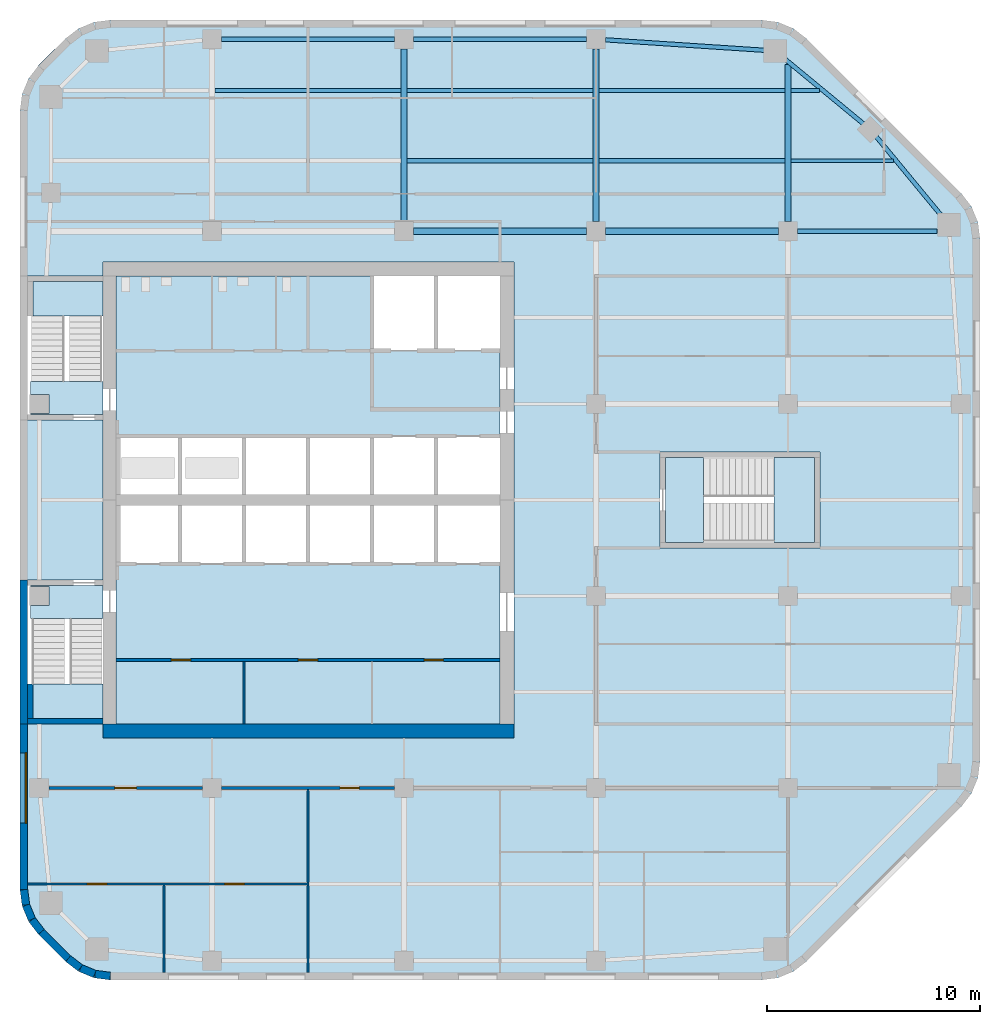
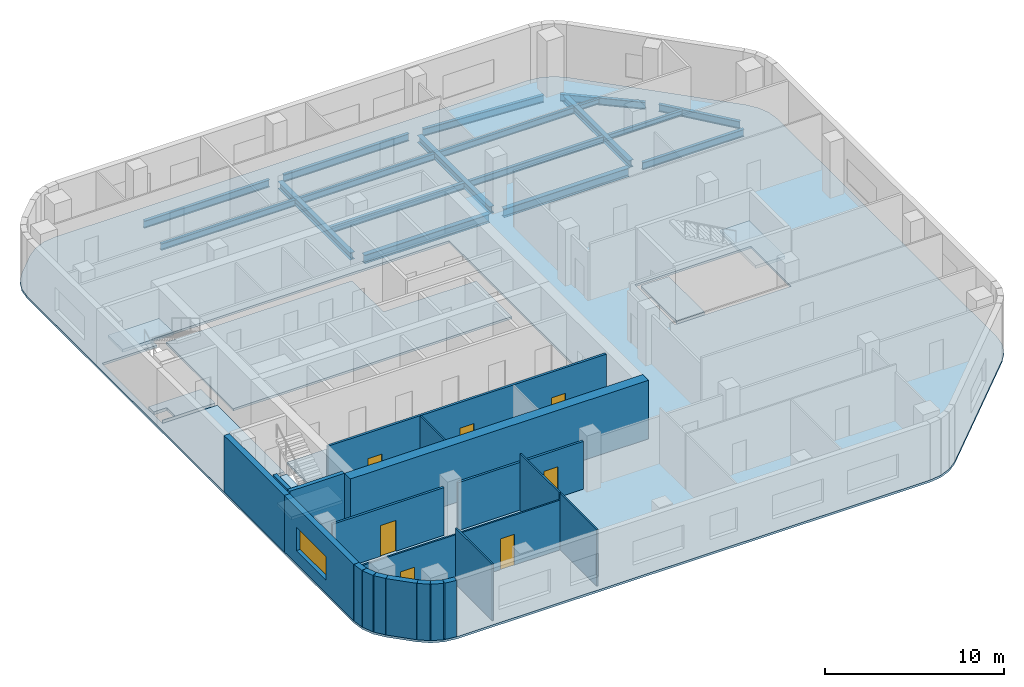
# One storey, part 2 of 9: 20 walls, 18 beams, 9 slabs, 7 doors, 1 window, 8 openings, 3 elements without a shape of their own.
"""IFC4 building model written with IfcOpenShell, lengths in metres."""

import ifcopenshell
import ifcopenshell.guid

model = None  # the IFC model being written
_history = None  # IfcOwnerHistory: only IFC2X3 demands one
_inside = {}  # id of a spatial element -> (the spatial element, [elements in it])
_under = {}  # id of a project, library or spatial element -> (it, [spatial elements below it])
_declared = {}  # id of a project -> (the project, [libraries it declares])
_typed = {}  # id of a type object -> (the type object, [elements of that type])
_made_of = {}  # id of a material, layer set ... -> (it, [elements and type objects made of it])


def new_model(schema):
    """Start an empty IFC model of exactly this schema.

    Asked for "IFC4X3", IfcOpenShell would pick the latest addendum, in which some entities
    have other attributes; the version numbers below select the first issue.
    IFC2X3 requires an IfcOwnerHistory on every rooted entity: one is made here for all.
    """
    global model, _history
    if schema == "IFC4X3":
        model = ifcopenshell.file(schema_version=(4, 3, 0, 0))
    else:
        model = ifcopenshell.file(schema=schema)
    _inside.clear()
    _under.clear()
    _declared.clear()
    _typed.clear()
    _made_of.clear()
    _history = None
    if model.schema == "IFC2X3":
        org = make("IfcOrganization", Name="unknown")
        user = make(
            "IfcPersonAndOrganization",
            ThePerson=make("IfcPerson", FamilyName="unknown"),
            TheOrganization=org,
        )
        app = make(
            "IfcApplication",
            ApplicationDeveloper=org,
            Version="unknown",
            ApplicationFullName="unknown",
            ApplicationIdentifier="unknown",
        )
        _history = make(
            "IfcOwnerHistory",
            OwningUser=user,
            OwningApplication=app,
            ChangeAction="ADDED",
            CreationDate=0,
        )
    return model


def make(cls, **values):
    """One entity of the class cls with the attributes given. An attribute that is None is left unset."""
    return model.create_entity(
        cls, **{name: value for name, value in values.items() if value is not None}
    )


def rooted(cls, **values):
    """An entity with a GlobalId (a new one), such as an element, a storey or a relation."""
    return make(cls, GlobalId=ifcopenshell.guid.new(), OwnerHistory=_history, **values)


def si_unit(unit_type, name, prefix=None):
    """IfcSIUnit, for example si_unit("LENGTHUNIT", "METRE", prefix="MILLI")."""
    return make("IfcSIUnit", UnitType=unit_type, Prefix=prefix, Name=name)


def assignment(units):
    """IfcUnitAssignment: the units of a project."""
    return None if units is None else make("IfcUnitAssignment", Units=units)


def point(xyz):
    """IfcCartesianPoint."""
    return None if xyz is None else make("IfcCartesianPoint", Coordinates=xyz)


def direction(xyz):
    """IfcDirection."""
    return None if xyz is None else make("IfcDirection", DirectionRatios=xyz)


def frame(location, z_axis=None, x_axis=None):
    """IfcAxis2Placement3D, a coordinate frame: its origin and axes. An axis left out is left unset."""
    return make(
        "IfcAxis2Placement3D",
        Location=point(location),
        Axis=direction(z_axis),
        RefDirection=direction(x_axis),
    )


def frame_2d(location, x_axis=None):
    """IfcAxis2Placement2D, a coordinate frame in the plane: its origin and x axis."""
    return make(
        "IfcAxis2Placement2D", Location=point(location), RefDirection=direction(x_axis)
    )


def origin():
    """The frame at (0, 0, 0) with its axes left unset."""
    return frame((0.0, 0.0, 0.0))


def origin_2d():
    """The frame at (0, 0) in the plane with its x axis left unset."""
    return frame_2d((0.0, 0.0))


def place(relative_to, where):
    """IfcLocalPlacement: puts the frame where relative to a parent placement (None: the world)."""
    return make(
        "IfcLocalPlacement", PlacementRelTo=relative_to, RelativePlacement=where
    )


def context(
    kind, dimensions, precision=None, world=None, true_north=None, identifier=None
):
    """IfcGeometricRepresentationContext, for example the 3D "Model" context."""
    return make(
        "IfcGeometricRepresentationContext",
        ContextIdentifier=identifier,
        ContextType=kind,
        CoordinateSpaceDimension=dimensions,
        Precision=precision,
        WorldCoordinateSystem=world,
        TrueNorth=true_north,
    )


def subcontext(parent, identifier, kind, view, scale=None):
    """IfcGeometricRepresentationSubContext, for example "Body" below "Model"."""
    return make(
        "IfcGeometricRepresentationSubContext",
        ContextIdentifier=identifier,
        ContextType=kind,
        ParentContext=parent,
        TargetScale=scale,
        TargetView=view,
    )


def project(units=None, contexts=None):
    """IfcProject with its units and contexts."""
    return rooted(
        "IfcProject",
        Name="project",
        RepresentationContexts=contexts,
        UnitsInContext=assignment(units),
    )


def spatial(cls, under=None, at=None, **own):
    """A site, building, storey or space (cls), placed at a placement, below another one or the project."""
    s = rooted(cls, ObjectPlacement=at, **own)
    if under is not None:
        _under.setdefault(under.id(), (under, []))[1].append(s)
    return s


def polyline(points):
    """IfcPolyline through the points."""
    return make("IfcPolyline", Points=[point(p) for p in points])


def profile(cls, at=None, kind="AREA", **sizes):
    """A parametric profile (cls). Its sizes go by their IFC names, for example OverallWidth=200.0."""
    return make(cls, ProfileType=kind, Position=at, **sizes)


def rectangle(**sizes):
    """IfcRectangleProfileDef."""
    return profile("IfcRectangleProfileDef", **sizes)


def i_section(**sizes):
    """IfcIShapeProfileDef."""
    return profile("IfcIShapeProfileDef", **sizes)


def outline(outer, holes=None, kind="AREA"):
    """IfcArbitraryClosedProfileDef: a profile drawn as a closed curve; with holes, ...WithVoids."""
    if holes is None:
        return make("IfcArbitraryClosedProfileDef", ProfileType=kind, OuterCurve=outer)
    return make(
        "IfcArbitraryProfileDefWithVoids",
        ProfileType=kind,
        OuterCurve=outer,
        InnerCurves=holes,
    )


def extrude(swept, where, along, depth):
    """IfcExtrudedAreaSolid: the profile swept, set in the frame where, extruded along a direction by depth."""
    return make(
        "IfcExtrudedAreaSolid",
        SweptArea=swept,
        Position=where,
        ExtrudedDirection=direction(along),
        Depth=depth,
    )


def shape(context_of_items, identifier, shape_type, items):
    """IfcShapeRepresentation: the items that make up one representation, for example the "Body"."""
    return make(
        "IfcShapeRepresentation",
        ContextOfItems=context_of_items,
        RepresentationIdentifier=identifier,
        RepresentationType=shape_type,
        Items=items,
    )


def material(Name=None, Category=None):
    """IfcMaterial."""
    return make("IfcMaterial", Name=Name, Category=Category)


def layer(
    of_material, thickness, ventilated=None, Name=None, Category=None, Priority=None
):
    """IfcMaterialLayer: one layer of a wall or slab, of a material (None: an air gap)."""
    return make(
        "IfcMaterialLayer",
        Material=of_material,
        LayerThickness=thickness,
        IsVentilated=ventilated,
        Name=Name,
        Category=Category,
        Priority=Priority,
    )


def layer_set(layers, Name=None):
    """IfcMaterialLayerSet."""
    return make("IfcMaterialLayerSet", MaterialLayers=layers, LayerSetName=Name)


def material_profile(
    of_material, cross_section, Name=None, Category=None, Priority=None
):
    """IfcMaterialProfile: a cross section and its material."""
    return make(
        "IfcMaterialProfile",
        Name=Name,
        Material=of_material,
        Profile=cross_section,
        Priority=Priority,
        Category=Category,
    )


def profile_set(profiles, Name=None, composite=None):
    """IfcMaterialProfileSet."""
    return make(
        "IfcMaterialProfileSet",
        Name=Name,
        MaterialProfiles=profiles,
        CompositeProfile=composite,
    )


def made_of(thing, what):
    """Note that an element or type object is made of a material, layer set ...; save() writes the relation."""
    if what is not None:
        _made_of.setdefault(what.id(), (what, []))[1].append(thing)
    return thing


def type_object(cls, material=None, **own):
    """A type object (cls), such as IfcWallType, which elements share."""
    return made_of(rooted(cls, **own), material)


def element(
    cls,
    number,
    at=None,
    inside=None,
    cuts=None,
    type_object=None,
    material=None,
    context=None,
    identifier="Body",
    shape_type=None,
    held_by="IfcProductDefinitionShape",
    body=None,
    shapes=None,
    **own,
):
    """One element of the class cls, such as IfcWall. Its Tag is "e" and its number.

    at: its placement. inside: the storey or other place that contains it. cuts: it is an
    opening in that element (IfcRelVoidsElement). A single representation is given by context,
    identifier, shape_type and body (its items); several are given by shapes. held_by: the class
    of the entity that holds the representations. save() writes the other relations.
    """
    e = rooted(cls, Tag="e%d" % number, ObjectPlacement=at, **own)
    if body is not None:
        shapes = [shape(context, identifier, shape_type, body)]
    if shapes is not None:
        e.Representation = make(held_by, Representations=shapes)
    if inside is not None:
        _inside.setdefault(inside.id(), (inside, []))[1].append(e)
    if cuts is not None:
        rooted(
            "IfcRelVoidsElement", RelatingBuildingElement=cuts, RelatedOpeningElement=e
        )
    if type_object is not None:
        _typed.setdefault(type_object.id(), (type_object, []))[1].append(e)
    return made_of(e, material)


def fill(opening, filler):
    """IfcRelFillsElement: the door or window that sits in an opening."""
    return rooted(
        "IfcRelFillsElement",
        RelatingOpeningElement=opening,
        RelatedBuildingElement=filler,
    )


def aggregate(whole, parts):
    """IfcRelAggregates: a whole, such as a stair, and the parts it consists of."""
    return rooted("IfcRelAggregates", RelatingObject=whole, RelatedObjects=parts)


def save(model, path):
    """Write the relations noted so far, then the file.

    IfcRelAggregates (storeys below a building ...), IfcRelContainedInSpatialStructure (elements
    in a storey), IfcRelDefinesByType, IfcRelAssociatesMaterial and IfcRelDeclares: one each for
    every whole, place, type object, material and project.
    """
    for whole, parts in _under.values():
        aggregate(whole, parts)
    for where, things in _inside.values():
        rooted(
            "IfcRelContainedInSpatialStructure",
            RelatedElements=things,
            RelatingStructure=where,
        )
    for kind, things in _typed.values():
        rooted("IfcRelDefinesByType", RelatedObjects=things, RelatingType=kind)
    for what, things in _made_of.values():
        rooted("IfcRelAssociatesMaterial", RelatedObjects=things, RelatingMaterial=what)
    for by, libraries in _declared.values():
        rooted("IfcRelDeclares", RelatingContext=by, RelatedDefinitions=libraries)
    model.write(path)


model = new_model("IFC4")

# Units and contexts
model_context = context("Model", 3, precision=1e-05, world=origin(), true_north=direction((0.0, 1.0)))
body_context = subcontext(model_context, "Body", "Model", "MODEL_VIEW")
ifc_project = project(units=[si_unit("LENGTHUNIT", "METRE"), si_unit("AREAUNIT", "SQUARE_METRE"), si_unit("VOLUMEUNIT", "CUBIC_METRE"), si_unit("PLANEANGLEUNIT", "RADIAN"), si_unit("MASSUNIT", "GRAM", prefix="KILO")], contexts=[model_context])

# Site, building, storey
site_placement = place(None, origin())
site = spatial("IfcSite", under=ifc_project, at=site_placement, CompositionType="ELEMENT")
building_placement = place(site_placement, origin())
building = spatial("IfcBuilding", under=site, at=building_placement, Name="Cinnabar Reach Civic Tower", CompositionType="ELEMENT")
storey_placement = place(building_placement, frame((0.0, 0.0, 153.0)))
storey = spatial("IfcBuildingStorey", under=building, at=storey_placement, Name="L36", CompositionType="ELEMENT", Elevation=153.0)

# Beams
ifc_material_1 = material(Name="Steel Q355B", Category="steel")
ifc_material_profile_1 = material_profile(ifc_material_1, i_section(OverallWidth=0.3, OverallDepth=0.488, WebThickness=0.011, FlangeThickness=0.018, FilletRadius=0.016, at=origin_2d()), Name="HM488x300x11x18")
ifc_profile_set_1 = profile_set([ifc_material_profile_1], Name="Steel Q355B")
beam_type_1 = type_object("IfcBeamType", Name="HM488x300x11x18 beam R 180", PredefinedType="BEAM", material=ifc_profile_set_1)
for number, where, z_axis, x_axis, name in (
    (1, (18.0, 44.552, -0.394), (0.0, 1.0, 0.0), (-1.0, 0.0, 0.0), "Girder T1 L36 6"),
    (2, (27.0, 44.552, -0.394), (0.0, 1.0, 0.0), (-1.0, 0.0, 0.0), "Girder T1 L36 11"),
):
    element("IfcBeam", number, at=place(storey_placement, frame(where, z_axis=z_axis, x_axis=x_axis)), inside=storey, type_object=beam_type_1, Name=name, PredefinedType="BEAM", context=body_context, shape_type="SweptSolid", body=[
        extrude(i_section(OverallWidth=0.3, OverallDepth=0.488, WebThickness=0.011, FlangeThickness=0.018, FilletRadius=0.016, at=origin_2d()), origin(), (0.0, 0.0, 1.0), 8.096),
    ])
beam_1_placement = place(storey_placement, frame((36.0, 44.552, -0.394), z_axis=(0.0, 1.0, 0.0), x_axis=(-1.0, 0.0, 0.0)))
element("IfcBeam", 3, at=beam_1_placement, inside=storey, type_object=beam_type_1, Name="Girder T1 L36 17", PredefinedType="BEAM", context=body_context, shape_type="SweptSolid", body=[
    extrude(i_section(OverallWidth=0.3, OverallDepth=0.488, WebThickness=0.011, FlangeThickness=0.018, FilletRadius=0.016, at=origin_2d()), origin(), (0.0, 0.0, 1.0), 7.3662),
])
ifc_material_profile_2 = material_profile(ifc_material_1, i_section(OverallWidth=0.3, OverallDepth=0.588, WebThickness=0.012, FlangeThickness=0.02, FilletRadius=0.016, at=origin_2d()), Name="HM588x300x12x20")
ifc_profile_set_2 = profile_set([ifc_material_profile_2], Name="Steel Q355B")
beam_type_2 = type_object("IfcBeamType", Name="HM588x300x12x20 beam R 180", PredefinedType="BEAM", material=ifc_profile_set_2)
for number, where, z_axis, x_axis, name in (
    (4, (18.452, 44.1, -0.444), (1.0, 0.0, 0.0), (0.0, 1.0, 0.0), "Girder T1 L36 14"),
    (5, (27.452, 44.1, -0.444), (1.0, 0.0, 0.0), (0.0, 1.0, 0.0), "Girder T1 L36 15"),
):
    element("IfcBeam", number, at=place(storey_placement, frame(where, z_axis=z_axis, x_axis=x_axis)), inside=storey, type_object=beam_type_2, Name=name, PredefinedType="BEAM", context=body_context, shape_type="SweptSolid", body=[
        extrude(i_section(OverallWidth=0.3, OverallDepth=0.588, WebThickness=0.012, FlangeThickness=0.02, FilletRadius=0.016, at=origin_2d()), origin(), (0.0, 0.0, 1.0), 8.096),
    ])
ifc_material_profile_3 = material_profile(ifc_material_1, i_section(OverallWidth=0.175, OverallDepth=0.35, WebThickness=0.007, FlangeThickness=0.011, FilletRadius=0.013, at=origin_2d()), Name="HN350x175x7x11")
ifc_profile_set_3 = profile_set([ifc_material_profile_3], Name="Steel Q355B")
beam_type_3 = type_object("IfcBeamType", Name="HN350x175x7x11 beam R 180", PredefinedType="BEAM", material=ifc_profile_set_3)
beam_2_placement = place(storey_placement, frame((36.152, 47.4, -0.325), z_axis=(1.0, 0.0, 0.0), x_axis=(0.0, 1.0, 0.0)))
element("IfcBeam", 6, at=beam_2_placement, inside=storey, type_object=beam_type_3, Name="Secondary beam T1 L36 20", PredefinedType="BEAM", context=body_context, shape_type="SweptSolid", body=[
    extrude(i_section(OverallWidth=0.175, OverallDepth=0.35, WebThickness=0.007, FlangeThickness=0.011, FilletRadius=0.013, at=origin_2d()), origin(), (0.0, 0.0, 1.0), 4.7866),
])
beam_3_placement = place(storey_placement, frame((36.152, 50.7, -0.325), z_axis=(1.0, 0.0, 0.0), x_axis=(0.0, 1.0, 0.0)))
element("IfcBeam", 7, at=beam_3_placement, inside=storey, type_object=beam_type_3, Name="Secondary beam T1 L36 25", PredefinedType="BEAM", context=body_context, shape_type="SweptSolid", body=[
    extrude(i_section(OverallWidth=0.175, OverallDepth=0.35, WebThickness=0.007, FlangeThickness=0.011, FilletRadius=0.013, at=origin_2d()), origin(), (0.0, 0.0, 1.0), 1.3249),
])
ifc_material_profile_4 = material_profile(ifc_material_1, i_section(OverallWidth=0.2, OverallDepth=0.45, WebThickness=0.009, FlangeThickness=0.014, FilletRadius=0.016, at=origin_2d()), Name="HN450x200x9x14")
ifc_profile_set_4 = profile_set([ifc_material_profile_4], Name="Steel Q355B")
beam_type_4 = type_object("IfcBeamType", Name="HN450x200x9x14 beam R 180", PredefinedType="BEAM", material=ifc_profile_set_4)
for number, where, z_axis, x_axis, name in (
    (8, (18.152, 47.4, -0.375), (1.0, 0.0, 0.0), (0.0, 1.0, 0.0), "Secondary beam T1 L36 18"),
    (9, (27.152, 47.4, -0.375), (1.0, 0.0, 0.0), (0.0, 1.0, 0.0), "Secondary beam T1 L36 19"),
    (10, (9.152, 50.7, -0.375), (1.0, 0.0, 0.0), (0.0, 1.0, 0.0), "Secondary beam T1 L36 22"),
    (11, (18.152, 50.7, -0.375), (1.0, 0.0, 0.0), (0.0, 1.0, 0.0), "Secondary beam T1 L36 23"),
    (12, (27.152, 50.7, -0.375), (1.0, 0.0, 0.0), (0.0, 1.0, 0.0), "Secondary beam T1 L36 24"),
):
    element("IfcBeam", number, at=place(storey_placement, frame(where, z_axis=z_axis, x_axis=x_axis)), inside=storey, type_object=beam_type_4, Name=name, PredefinedType="BEAM", context=body_context, shape_type="SweptSolid", body=[
        extrude(i_section(OverallWidth=0.2, OverallDepth=0.45, WebThickness=0.009, FlangeThickness=0.014, FilletRadius=0.016, at=origin_2d()), origin(), (0.0, 0.0, 1.0), 8.696),
    ])
ifc_material_profile_5 = material_profile(ifc_material_1, i_section(OverallWidth=0.2, OverallDepth=0.5, WebThickness=0.01, FlangeThickness=0.016, FilletRadius=0.016, at=origin_2d()), Name="HN500x200x10x16")
ifc_profile_set_5 = profile_set([ifc_material_profile_5], Name="Steel Q355B")
beam_type_5 = type_object("IfcBeamType", Name="HN500x200x10x16 beam R 180", PredefinedType="BEAM", material=ifc_profile_set_5)
for number, where, z_axis, x_axis, name in (
    (13, (43.1906, 44.8301, -0.4), (-0.63630880182, 0.771434448755, 0.0), (-0.771434448755, -0.63630880182, 0.0), "Edge beam T1 L36 9"),
    (14, (39.5598, 49.1142, -0.4), (-0.771434448755, 0.63630880182, 0.0), (-0.63630880182, -0.771434448755, 0.0), "Edge beam T1 L36 10"),
):
    element("IfcBeam", number, at=place(storey_placement, frame(where, z_axis=z_axis, x_axis=x_axis)), inside=storey, type_object=beam_type_5, Name=name, PredefinedType="BEAM", context=body_context, shape_type="SweptSolid", body=[
        extrude(i_section(OverallWidth=0.2, OverallDepth=0.5, WebThickness=0.01, FlangeThickness=0.016, FilletRadius=0.016, at=origin_2d()), origin(), (0.0, 0.0, 1.0), 4.8348),
    ])
beam_4_placement = place(storey_placement, frame((34.9661, 52.5754, -0.4), z_axis=(-0.99783894477, 0.065707231721, 0.0), x_axis=(-0.065707231721, -0.99783894477, 0.0)))
element("IfcBeam", 15, at=beam_4_placement, inside=storey, type_object=beam_type_5, Name="Edge beam T1 L36 11", PredefinedType="BEAM", context=body_context, shape_type="SweptSolid", body=[
    extrude(i_section(OverallWidth=0.2, OverallDepth=0.5, WebThickness=0.01, FlangeThickness=0.016, FilletRadius=0.016, at=origin_2d()), origin(), (0.0, 0.0, 1.0), 7.5304),
])
for number, where, z_axis, x_axis, name in (
    (16, (26.548, 53.1, -0.4), (-1.0, 0.0, 0.0), (0.0, -1.0, 0.0), "Edge beam T1 L36 12"),
    (17, (17.548, 53.1, -0.4), (-1.0, 0.0, 0.0), (0.0, -1.0, 0.0), "Edge beam T1 L36 13"),
):
    element("IfcBeam", number, at=place(storey_placement, frame(where, z_axis=z_axis, x_axis=x_axis)), inside=storey, type_object=beam_type_5, Name=name, PredefinedType="BEAM", context=body_context, shape_type="SweptSolid", body=[
        extrude(i_section(OverallWidth=0.2, OverallDepth=0.5, WebThickness=0.01, FlangeThickness=0.016, FilletRadius=0.016, at=origin_2d()), origin(), (0.0, 0.0, 1.0), 8.096),
    ])
beam_5_placement = place(storey_placement, frame((36.452, 44.1, -0.4), z_axis=(1.0, 0.0, 0.0), x_axis=(0.0, 1.0, 0.0)))
element("IfcBeam", 18, at=beam_5_placement, inside=storey, type_object=beam_type_5, Name="Girder T1 L36 16", PredefinedType="BEAM", context=body_context, shape_type="SweptSolid", body=[
    extrude(i_section(OverallWidth=0.2, OverallDepth=0.5, WebThickness=0.01, FlangeThickness=0.016, FilletRadius=0.016, at=origin_2d()), origin(), (0.0, 0.0, 1.0), 6.5429),
])

# Slab
ifc_material_2 = material(Name="Concrete C40", Category="concrete")
ifc_layer_1 = layer(ifc_material_2, 0.15)
ifc_layer_set_1 = layer_set([ifc_layer_1], Name="Composite floor slab 150 REI 150")
slab_type_1 = type_object("IfcSlabType", Name="Composite floor slab 150 REI 150", PredefinedType="FLOOR", material=ifc_layer_set_1)
slab_1_placement = place(storey_placement, frame((0.0, 0.0, -0.15)))
element("IfcSlab", 19, at=slab_1_placement, inside=storey, type_object=slab_type_1, Name="Composite floor slab 150 T1 L36", PredefinedType="FLOOR", context=body_context, shape_type="SweptSolid", body=[
    extrude(outline(polyline([(0.8787, 11.1213), (0.4019, 11.7426), (0.1022, 12.4662), (0.0, 13.2426), (0.0, 49.7574), (0.1022, 50.5338), (0.4019, 51.2574), (0.8787, 51.8787), (2.1213, 53.1213), (2.7426, 53.5981), (3.4662, 53.8978), (4.2426, 54.0), (34.7574, 54.0), (35.5338, 53.8978), (36.2574, 53.5981), (36.8787, 53.1213), (44.1213, 45.8787), (44.5981, 45.2574), (44.8978, 44.5338), (45.0, 43.7574), (45.0, 19.2426), (44.8978, 18.4662), (44.5981, 17.7426), (44.1213, 17.1213), (36.8787, 9.8787), (36.2574, 9.4019), (35.5338, 9.1022), (34.7574, 9.0), (4.2426, 9.0), (3.4662, 9.1022), (2.7426, 9.4019), (2.1213, 9.8787), (0.8787, 11.1213)]), holes=[polyline([(0.36, 21.0), (3.9, 21.0), (3.9, 20.35), (23.15, 20.35), (23.15, 42.65), (3.9, 42.65), (3.9, 42.0), (0.36, 42.0), (0.36, 35.25), (3.9, 35.25), (3.9, 27.75), (0.36, 27.75), (0.36, 21.0)]), polyline([(30.0, 33.75), (30.0, 29.25), (37.5, 29.25), (37.5, 33.75), (30.0, 33.75)])]), origin(), (0.0, 0.0, 1.0), 0.15),
])

# Stair, slabs
ifc_material_3 = material(Name="Concrete C40/50", Category="concrete")
stair_type = type_object("IfcStairType", Name="T1 Exit stair, half-turn", PredefinedType="HALF_TURN_STAIR", material=ifc_material_3)
stair_1_placement = place(storey_placement, origin())
stair_1 = element("IfcStair", 20, at=stair_1_placement, inside=storey, type_object=stair_type, Name="Stair T1-S1", PredefinedType="HALF_TURN_STAIR")
ifc_layer_2 = layer(ifc_material_3, 0.2)
ifc_layer_set_2 = layer_set([ifc_layer_2], Name="T1 Stair landing 200, Concrete C40/50")
slab_type_2 = type_object("IfcSlabType", Name="T1 Stair landing 200, Concrete C40/50", PredefinedType="LANDING", material=ifc_layer_set_2)
slab_2_placement = place(storey_placement, frame((0.0, 0.0, -0.2)))
slab_2 = element("IfcSlab", 21, at=slab_2_placement, type_object=slab_type_2, Name="T1-S1 landing 1", PredefinedType="LANDING", context=body_context, shape_type="SweptSolid", body=[
    extrude(outline(polyline([(0.5, 27.5), (3.9, 27.5), (3.9, 25.95), (0.5, 25.95), (0.5, 26.55), (1.35, 26.55), (1.35, 27.45), (0.5, 27.45), (0.5, 27.5)])), origin(), (0.0, 0.0, 1.0), 0.2),
])
slab_3_placement = place(storey_placement, frame((0.0, 0.0, 1.8)))
slab_3 = element("IfcSlab", 22, at=slab_3_placement, type_object=slab_type_2, Name="T1-S1 landing 2", PredefinedType="LANDING", context=body_context, shape_type="SweptSolid", body=[
    extrude(outline(polyline([(0.6, 21.25), (0.6, 22.87), (3.9, 22.87), (3.9, 21.25), (0.6, 21.25)])), origin(), (0.0, 0.0, 1.0), 0.2),
])
aggregate(stair_1, [slab_2, slab_3])

stair_2_placement = place(storey_placement, origin())
stair_2 = element("IfcStair", 23, at=stair_2_placement, inside=storey, type_object=stair_type, Name="Stair T1-S2", PredefinedType="HALF_TURN_STAIR")
slab_4_placement = place(storey_placement, frame((0.0, 0.0, -0.2)))
slab_4 = element("IfcSlab", 24, at=slab_4_placement, type_object=slab_type_2, Name="T1-S2 landing 1", PredefinedType="LANDING", context=body_context, shape_type="SweptSolid", body=[
    extrude(outline(polyline([(0.5, 37.05), (3.9, 37.05), (3.9, 35.5), (0.5, 35.5), (0.5, 35.55), (1.35, 35.55), (1.35, 36.45), (0.5, 36.45), (0.5, 37.05)])), origin(), (0.0, 0.0, 1.0), 0.2),
])
slab_5_placement = place(storey_placement, frame((0.0, 0.0, 1.8)))
slab_5 = element("IfcSlab", 25, at=slab_5_placement, type_object=slab_type_2, Name="T1-S2 landing 2", PredefinedType="LANDING", context=body_context, shape_type="SweptSolid", body=[
    extrude(outline(polyline([(0.6, 40.13), (0.6, 41.75), (3.9, 41.75), (3.9, 40.13), (0.6, 40.13)])), origin(), (0.0, 0.0, 1.0), 0.2),
])
aggregate(stair_2, [slab_4, slab_5])

stair_3_placement = place(storey_placement, origin())
stair_3 = element("IfcStair", 26, at=stair_3_placement, inside=storey, type_object=stair_type, Name="Stair T1-S3", PredefinedType="HALF_TURN_STAIR")
slab_6_placement = place(storey_placement, frame((0.0, 0.0, -0.2)))
slab_6 = element("IfcSlab", 27, at=slab_6_placement, type_object=slab_type_2, Name="T1-S3 landing 1", PredefinedType="LANDING", context=body_context, shape_type="SweptSolid", body=[
    extrude(outline(polyline([(30.25, 29.5), (32.05, 29.5), (32.05, 33.5), (30.25, 33.5), (30.25, 29.5)])), origin(), (0.0, 0.0, 1.0), 0.2),
])
slab_7_placement = place(storey_placement, frame((0.0, 0.0, 1.8)))
slab_7 = element("IfcSlab", 28, at=slab_7_placement, type_object=slab_type_2, Name="T1-S3 landing 2", PredefinedType="LANDING", context=body_context, shape_type="SweptSolid", body=[
    extrude(outline(polyline([(35.35, 29.5), (37.25, 29.5), (37.25, 33.5), (35.35, 33.5), (35.35, 29.5)])), origin(), (0.0, 0.0, 1.0), 0.2),
])
aggregate(stair_3, [slab_6, slab_7])

# Slabs
ifc_layer_3 = layer(ifc_material_3, 0.15)
ifc_layer_set_3 = layer_set([ifc_layer_3], Name="T1 core floor slab 150")
slab_type_3 = type_object("IfcSlabType", Name="T1 core floor slab 150", PredefinedType="FLOOR", material=ifc_layer_set_3)
slab_8_placement = place(storey_placement, frame((0.0, 0.0, -0.15)))
element("IfcSlab", 29, at=slab_8_placement, inside=storey, type_object=slab_type_3, Name="Core floor slab L36", PredefinedType="FLOOR", context=body_context, shape_type="SweptSolid", body=[
    extrude(outline(polyline([(22.5, 21.0), (4.5, 21.0), (4.5, 28.5), (7.5, 28.5), (10.5, 28.5), (13.5, 28.5), (16.5, 28.5), (19.5, 28.5), (22.5, 28.5), (22.5, 21.0)])), origin(), (0.0, 0.0, 1.0), 0.15),
])
slab_9_placement = place(storey_placement, frame((0.0, 0.0, -0.15)))
element("IfcSlab", 30, at=slab_9_placement, inside=storey, type_object=slab_type_3, Name="Core floor slab L36", PredefinedType="FLOOR", context=body_context, shape_type="SweptSolid", body=[
    extrude(outline(polyline([(22.5, 34.5), (19.5, 34.5), (16.5, 34.5), (13.5, 34.5), (10.5, 34.5), (7.5, 34.5), (4.5, 34.5), (4.5, 42.0), (16.5, 42.0), (16.5, 38.5), (19.5, 38.5), (22.5, 38.5), (22.5, 34.5)])), origin(), (0.0, 0.0, 1.0), 0.15),
])

# Walls
ifc_material_4 = material(Name="Facing brick with insulated backing", Category="masonry")
ifc_layer_4 = layer(ifc_material_4, 0.36)
ifc_layer_set_4 = layer_set([ifc_layer_4], Name="Brick corner wall")
wall_type_1 = type_object("IfcWallType", Name="Brick corner wall", PredefinedType="STANDARD", material=ifc_layer_set_4)
for number, where, z_axis, x_axis, name in (
    (31, (0.183, 13.2314, 0.0), (0.0, 0.0, 1.0), (0.13055608231, -0.99144092581, 0.0), "Brick corner wall"),
    (32, (0.2819, 12.5027, 0.0), (0.0, 0.0, 1.0), (0.382702709855, -0.923871547278, 0.0), "Brick corner wall"),
):
    element("IfcWall", number, at=place(storey_placement, frame(where, z_axis=z_axis, x_axis=x_axis)), inside=storey, type_object=wall_type_1, Name=name, PredefinedType="STANDARD", context=body_context, shape_type="SweptSolid", body=[
        extrude(rectangle(XDim=0.7131, YDim=0.36, at=frame_2d((0.3565, 0.0))), origin(), (0.0, 0.0, 1.0), 3.85),
    ])
for number, where, z_axis, x_axis, name in (
    (33, (0.566, 11.8245, 0.0), (0.0, 0.0, 1.0), (0.608802368033, -0.793321924995, 0.0), "Brick corner wall"),
    (34, (2.2587, 10.0002, 0.0), (0.0, 0.0, 1.0), (0.793321924995, -0.608802368033, 0.0), "Brick corner wall"),
):
    element("IfcWall", number, at=place(storey_placement, frame(where, z_axis=z_axis, x_axis=x_axis)), inside=storey, type_object=wall_type_1, Name=name, PredefinedType="STANDARD", context=body_context, shape_type="SweptSolid", body=[
        extrude(rectangle(XDim=0.7132, YDim=0.36, at=frame_2d((0.3566, 0.0))), origin(), (0.0, 0.0, 1.0), 3.85),
    ])
for number, where, z_axis, x_axis, name in (
    (35, (2.8439, 9.5548, 0.0), (0.0, 0.0, 1.0), (0.923871547278, -0.382702709855, 0.0), "Brick corner wall"),
    (36, (3.5244, 9.2761, 0.0), (0.0, 0.0, 1.0), (0.99144092581, -0.13055608231, 0.0), "Brick corner wall"),
):
    element("IfcWall", number, at=place(storey_placement, frame(where, z_axis=z_axis, x_axis=x_axis)), inside=storey, type_object=wall_type_1, Name=name, PredefinedType="STANDARD", context=body_context, shape_type="SweptSolid", body=[
        extrude(rectangle(XDim=0.7131, YDim=0.36, at=frame_2d((0.3565, 0.0))), origin(), (0.0, 0.0, 1.0), 3.85),
    ])
ifc_layer_5 = layer(ifc_material_4, 0.36)
ifc_layer_set_5 = layer_set([ifc_layer_5], Name="Brick pier and spandrel wall")
wall_type_2 = type_object("IfcWallType", Name="Brick pier and spandrel wall", PredefinedType="STANDARD", material=ifc_layer_set_5)
wall_1_placement = place(storey_placement, frame((0.18, 27.75, 0.0), z_axis=(0.0, 0.0, 1.0), x_axis=(0.0, -1.0, 0.0)))
element("IfcWall", 37, at=wall_1_placement, inside=storey, type_object=wall_type_2, Name="Brick facade wall", PredefinedType="STANDARD", context=body_context, shape_type="SweptSolid", body=[
    extrude(rectangle(XDim=6.75, YDim=0.36, at=frame_2d((3.375, 0.0))), origin(), (0.0, 0.0, 1.0), 3.85),
])

# Wall, opening, window
wall_2_placement = place(storey_placement, frame((0.18, 21.0, 0.0), z_axis=(0.0, 0.0, 1.0), x_axis=(0.0, -1.0, 0.0)))
wall_2 = element("IfcWall", 38, at=wall_2_placement, inside=storey, type_object=wall_type_2, Name="Brick facade wall", PredefinedType="STANDARD", context=body_context, shape_type="SweptSolid", body=[
    extrude(rectangle(XDim=7.7574, YDim=0.36, at=frame_2d((3.8787, 0.0))), origin(), (0.0, 0.0, 1.0), 3.85),
])
opening_1_placement = place(wall_2_placement, frame((1.35, 0.0, 0.9)))
opening_1 = element("IfcOpeningElement", 39, at=opening_1_placement, cuts=wall_2, Name="Opening W1760", PredefinedType="OPENING", context=body_context, shape_type="SweptSolid", body=[
    extrude(rectangle(XDim=3.3, YDim=1.6, at=frame_2d((1.65, 0.8))), frame((0.0, 0.19, 0.0), z_axis=(0.0, -1.0, 0.0), x_axis=(1.0, 0.0, 0.0)), (0.0, 0.0, 1.0), 0.38),
])
ifc_material_5 = material(Name="Clear double glazing in aluminium frame", Category="aluminium")
window_type = type_object("IfcWindowType", Name="Deep-set window A", PartitioningType="SINGLE_PANEL", PredefinedType="WINDOW", material=ifc_material_5)
window_placement = place(opening_1_placement, origin())
window = element("IfcWindow", 40, at=window_placement, inside=storey, type_object=window_type, Name="Window west face", OverallHeight=1.6, OverallWidth=3.3, PartitioningType="SINGLE_PANEL", PredefinedType="WINDOW", context=body_context, shape_type="SweptSolid", body=[
    extrude(rectangle(XDim=3.3, YDim=1.6, at=frame_2d((1.65, 0.8))), frame((0.0, 0.13, 0.0), z_axis=(0.0, -1.0, 0.0), x_axis=(1.0, 0.0, 0.0)), (0.0, 0.0, 1.0), 0.06),
])
fill(opening_1, window)

# Walls
wall_3_placement = place(storey_placement, frame((1.006, 11.2486, 0.0), z_axis=(0.0, 0.0, 1.0), x_axis=(0.707106781187, -0.707106781187, 0.0)))
element("IfcWall", 41, at=wall_3_placement, inside=storey, type_object=wall_type_2, Name="Brick facade wall", PredefinedType="STANDARD", context=body_context, shape_type="SweptSolid", body=[
    extrude(rectangle(XDim=1.7573, YDim=0.36, at=frame_2d((0.8787, 0.0))), origin(), (0.0, 0.0, 1.0), 3.85),
])
ifc_material_6 = material(Name="Concrete C70", Category="concrete")
ifc_layer_6 = layer(ifc_material_6, 0.65)
ifc_layer_set_6 = layer_set([ifc_layer_6], Name="Core wall 650 EI 180")
wall_type_3 = type_object("IfcWallType", Name="Core wall 650 EI 180", PredefinedType="SOLIDWALL", material=ifc_layer_set_6)
wall_4_placement = place(storey_placement, frame((3.9, 20.675, 0.0), z_axis=(0.0, 0.0, 1.0), x_axis=(1.0, 0.0, 0.0)))
element("IfcWall", 42, at=wall_4_placement, inside=storey, type_object=wall_type_3, Name="Core wall T1 L36 S", PredefinedType="SOLIDWALL", context=body_context, shape_type="SweptSolid", body=[
    extrude(rectangle(XDim=19.25, YDim=0.65, at=frame_2d((9.625, 0.0))), origin(), (0.0, 0.0, 1.0), 4.0),
])

# Wall, opening, door
ifc_material_7 = material(Name="Gypsum board on steel studs, double layer", Category="steel")
ifc_layer_7 = layer(ifc_material_7, 0.15)
ifc_layer_set_7 = layer_set([ifc_layer_7], Name="Corridor wall 150 T1")
wall_type_4 = type_object("IfcWallType", Name="Corridor wall 150 T1", PredefinedType="PARTITIONING", material=ifc_layer_set_7)
wall_5_placement = place(storey_placement, frame((1.35, 18.0, 0.0), z_axis=(0.0, 0.0, 1.0), x_axis=(1.0, 0.0, 0.0)))
wall_5 = element("IfcWall", 43, at=wall_5_placement, inside=storey, type_object=wall_type_4, Name="Corridor wall 20", PredefinedType="PARTITIONING", context=body_context, shape_type="SweptSolid", body=[
    extrude(rectangle(XDim=7.2, YDim=0.15, at=frame_2d((3.6, 0.0))), origin(), (0.0, 0.0, 1.0), 3.262),
])
opening_2_placement = place(wall_5_placement, frame((3.1, 0.0, 0.0)))
opening_2 = element("IfcOpeningElement", 44, at=opening_2_placement, cuts=wall_5, Name="Opening D4481", PredefinedType="OPENING", context=body_context, shape_type="SweptSolid", body=[
    extrude(rectangle(XDim=1.0, YDim=2.1, at=frame_2d((0.5, 1.05))), frame((0.0, 0.085, 0.0), z_axis=(0.0, -1.0, 0.0), x_axis=(1.0, 0.0, 0.0)), (0.0, 0.0, 1.0), 0.17),
])
ifc_material_8 = material(Name="Timber door leaf in steel frame", Category="steel")
door_type_1 = type_object("IfcDoorType", Name="Tenancy entrance door 1000 x 2100 T1", OperationType="SINGLE_SWING_LEFT", PredefinedType="DOOR", material=ifc_material_8)
door_1_placement = place(opening_2_placement, frame((1.0, 0.0, 0.0), z_axis=(0.0, 0.0, 1.0), x_axis=(-1.0, 0.0, 0.0)))
door_1 = element("IfcDoor", 45, at=door_1_placement, inside=storey, type_object=door_type_1, Name="Door D4481", OperationType="SINGLE_SWING_LEFT", OverallHeight=2.1, OverallWidth=1.0, PredefinedType="DOOR", context=body_context, shape_type="SweptSolid", body=[
    extrude(rectangle(XDim=1.0, YDim=2.1, at=frame_2d((0.5, 1.05))), frame((0.0, 0.025, 0.0), z_axis=(0.0, -1.0, 0.0), x_axis=(1.0, 0.0, 0.0)), (0.0, 0.0, 1.0), 0.05),
])
fill(opening_2, door_1)

wall_6_placement = place(storey_placement, frame((9.45, 18.0, 0.0), z_axis=(0.0, 0.0, 1.0), x_axis=(1.0, 0.0, 0.0)))
wall_6 = element("IfcWall", 46, at=wall_6_placement, inside=storey, type_object=wall_type_4, Name="Corridor wall 21", PredefinedType="PARTITIONING", context=body_context, shape_type="SweptSolid", body=[
    extrude(rectangle(XDim=8.1, YDim=0.15, at=frame_2d((4.05, 0.0))), origin(), (0.0, 0.0, 1.0), 3.262),
])
opening_3_placement = place(wall_6_placement, frame((5.55, 0.0, 0.0)))
opening_3 = element("IfcOpeningElement", 47, at=opening_3_placement, cuts=wall_6, Name="Opening D4484", PredefinedType="OPENING", context=body_context, shape_type="SweptSolid", body=[
    extrude(rectangle(XDim=0.9, YDim=2.1, at=frame_2d((0.45, 1.05))), frame((0.0, 0.085, 0.0), z_axis=(0.0, -1.0, 0.0), x_axis=(1.0, 0.0, 0.0)), (0.0, 0.0, 1.0), 0.17),
])
door_type_2 = type_object("IfcDoorType", Name="Single swing door 900 x 2100 corridor T1", OperationType="SINGLE_SWING_LEFT", PredefinedType="DOOR", material=ifc_material_8)
door_2_placement = place(opening_3_placement, frame((0.9, 0.0, 0.0), z_axis=(0.0, 0.0, 1.0), x_axis=(-1.0, 0.0, 0.0)))
door_2 = element("IfcDoor", 48, at=door_2_placement, inside=storey, type_object=door_type_2, Name="Door D4484", OperationType="SINGLE_SWING_RIGHT", OverallHeight=2.1, OverallWidth=0.9, PredefinedType="DOOR", context=body_context, shape_type="SweptSolid", body=[
    extrude(rectangle(XDim=0.9, YDim=2.1, at=frame_2d((0.45, 1.05))), frame((0.0, 0.025, 0.0), z_axis=(0.0, -1.0, 0.0), x_axis=(1.0, 0.0, 0.0)), (0.0, 0.0, 1.0), 0.05),
])
fill(opening_3, door_2)

# Wall, openings, doors
wall_7_placement = place(storey_placement, frame((4.5, 24.0, 0.0), z_axis=(0.0, 0.0, 1.0), x_axis=(1.0, 0.0, 0.0)))
wall_7 = element("IfcWall", 49, at=wall_7_placement, inside=storey, type_object=wall_type_4, Name="Corridor wall 28", PredefinedType="PARTITIONING", context=body_context, shape_type="SweptSolid", body=[
    extrude(rectangle(XDim=18.0, YDim=0.15, at=frame_2d((9.0, 0.0))), origin(), (0.0, 0.0, 1.0), 3.85),
])
opening_4_placement = place(wall_7_placement, frame((2.6, 0.0, 0.0)))
opening_4 = element("IfcOpeningElement", 50, at=opening_4_placement, cuts=wall_7, Name="Opening D4469", PredefinedType="OPENING", context=body_context, shape_type="SweptSolid", body=[
    extrude(rectangle(XDim=0.9, YDim=2.1, at=frame_2d((0.45, 1.05))), frame((0.0, 0.085, 0.0), z_axis=(0.0, -1.0, 0.0), x_axis=(1.0, 0.0, 0.0)), (0.0, 0.0, 1.0), 0.17),
])
opening_5_placement = place(wall_7_placement, frame((8.55, 0.0, 0.0)))
opening_5 = element("IfcOpeningElement", 51, at=opening_5_placement, cuts=wall_7, Name="Opening D4470", PredefinedType="OPENING", context=body_context, shape_type="SweptSolid", body=[
    extrude(rectangle(XDim=0.9, YDim=2.1, at=frame_2d((0.45, 1.05))), frame((0.0, 0.085, 0.0), z_axis=(0.0, -1.0, 0.0), x_axis=(1.0, 0.0, 0.0)), (0.0, 0.0, 1.0), 0.17),
])
opening_6_placement = place(wall_7_placement, frame((14.45, 0.0, 0.0)))
opening_6 = element("IfcOpeningElement", 52, at=opening_6_placement, cuts=wall_7, Name="Opening D4471", PredefinedType="OPENING", context=body_context, shape_type="SweptSolid", body=[
    extrude(rectangle(XDim=0.9, YDim=2.1, at=frame_2d((0.45, 1.05))), frame((0.0, 0.085, 0.0), z_axis=(0.0, -1.0, 0.0), x_axis=(1.0, 0.0, 0.0)), (0.0, 0.0, 1.0), 0.17),
])
door_3_placement = place(opening_4_placement, frame((0.9, 0.0, 0.0), z_axis=(0.0, 0.0, 1.0), x_axis=(-1.0, 0.0, 0.0)))
door_3 = element("IfcDoor", 53, at=door_3_placement, inside=storey, type_object=door_type_2, Name="Door D4469", OperationType="SINGLE_SWING_LEFT", OverallHeight=2.1, OverallWidth=0.9, PredefinedType="DOOR", context=body_context, shape_type="SweptSolid", body=[
    extrude(rectangle(XDim=0.9, YDim=2.1, at=frame_2d((0.45, 1.05))), frame((0.0, 0.025, 0.0), z_axis=(0.0, -1.0, 0.0), x_axis=(1.0, 0.0, 0.0)), (0.0, 0.0, 1.0), 0.05),
])
fill(opening_4, door_3)
door_4_placement = place(opening_5_placement, frame((0.9, 0.0, 0.0), z_axis=(0.0, 0.0, 1.0), x_axis=(-1.0, 0.0, 0.0)))
door_4 = element("IfcDoor", 54, at=door_4_placement, inside=storey, type_object=door_type_2, Name="Door D4470", OperationType="SINGLE_SWING_RIGHT", OverallHeight=2.1, OverallWidth=0.9, PredefinedType="DOOR", context=body_context, shape_type="SweptSolid", body=[
    extrude(rectangle(XDim=0.9, YDim=2.1, at=frame_2d((0.45, 1.05))), frame((0.0, 0.025, 0.0), z_axis=(0.0, -1.0, 0.0), x_axis=(1.0, 0.0, 0.0)), (0.0, 0.0, 1.0), 0.05),
])
fill(opening_5, door_4)
door_5_placement = place(opening_6_placement, frame((0.9, 0.0, 0.0), z_axis=(0.0, 0.0, 1.0), x_axis=(-1.0, 0.0, 0.0)))
door_5 = element("IfcDoor", 55, at=door_5_placement, inside=storey, type_object=door_type_2, Name="Door D4471", OperationType="SINGLE_SWING_LEFT", OverallHeight=2.1, OverallWidth=0.9, PredefinedType="DOOR", context=body_context, shape_type="SweptSolid", body=[
    extrude(rectangle(XDim=0.9, YDim=2.1, at=frame_2d((0.45, 1.05))), frame((0.0, 0.025, 0.0), z_axis=(0.0, -1.0, 0.0), x_axis=(1.0, 0.0, 0.0)), (0.0, 0.0, 1.0), 0.05),
])
fill(opening_6, door_5)

ifc_material_9 = material(Name="Gypsum board on steel studs", Category="steel")
ifc_layer_8 = layer(ifc_material_9, 0.1)
ifc_layer_set_8 = layer_set([ifc_layer_8], Name="Partition wall 100 T1")
wall_type_5 = type_object("IfcWallType", Name="Partition wall 100 T1", PredefinedType="PARTITIONING", material=ifc_layer_set_8)
wall_8_placement = place(storey_placement, frame((0.36, 13.5, 0.0), z_axis=(0.0, 0.0, 1.0), x_axis=(1.0, 0.0, 0.0)))
wall_8 = element("IfcWall", 56, at=wall_8_placement, inside=storey, type_object=wall_type_5, Name="Partition wall 50", PredefinedType="PARTITIONING", context=body_context, shape_type="SweptSolid", body=[
    extrude(rectangle(XDim=13.19, YDim=0.1, at=frame_2d((6.595, 0.0))), origin(), (0.0, 0.0, 1.0), 3.4),
])
opening_7_placement = place(wall_8_placement, frame((2.8, 0.0, 0.0)))
opening_7 = element("IfcOpeningElement", 57, at=opening_7_placement, cuts=wall_8, Name="Opening D4482", PredefinedType="OPENING", context=body_context, shape_type="SweptSolid", body=[
    extrude(rectangle(XDim=0.9, YDim=2.1, at=frame_2d((0.45, 1.05))), frame((0.0, 0.06, 0.0), z_axis=(0.0, -1.0, 0.0), x_axis=(1.0, 0.0, 0.0)), (0.0, 0.0, 1.0), 0.12),
])
opening_8_placement = place(wall_8_placement, frame((9.24, 0.0, 0.0)))
opening_8 = element("IfcOpeningElement", 58, at=opening_8_placement, cuts=wall_8, Name="Opening D4483", PredefinedType="OPENING", context=body_context, shape_type="SweptSolid", body=[
    extrude(rectangle(XDim=0.9, YDim=2.1, at=frame_2d((0.45, 1.05))), frame((0.0, 0.06, 0.0), z_axis=(0.0, -1.0, 0.0), x_axis=(1.0, 0.0, 0.0)), (0.0, 0.0, 1.0), 0.12),
])
door_type_3 = type_object("IfcDoorType", Name="Single swing door 900 x 2100 T1", OperationType="SINGLE_SWING_LEFT", PredefinedType="DOOR", material=ifc_material_8)
door_6_placement = place(opening_7_placement, frame((0.9, 0.0, 0.0), z_axis=(0.0, 0.0, 1.0), x_axis=(-1.0, 0.0, 0.0)))
door_6 = element("IfcDoor", 59, at=door_6_placement, inside=storey, type_object=door_type_3, Name="Door D4482", OperationType="SINGLE_SWING_LEFT", OverallHeight=2.1, OverallWidth=0.9, PredefinedType="DOOR", context=body_context, shape_type="SweptSolid", body=[
    extrude(rectangle(XDim=0.9, YDim=2.1, at=frame_2d((0.45, 1.05))), frame((0.0, 0.025, 0.0), z_axis=(0.0, -1.0, 0.0), x_axis=(1.0, 0.0, 0.0)), (0.0, 0.0, 1.0), 0.05),
])
fill(opening_7, door_6)
door_7_placement = place(opening_8_placement, frame((0.9, 0.0, 0.0), z_axis=(0.0, 0.0, 1.0), x_axis=(-1.0, 0.0, 0.0)))
door_7 = element("IfcDoor", 60, at=door_7_placement, inside=storey, type_object=door_type_3, Name="Door D4483", OperationType="SINGLE_SWING_LEFT", OverallHeight=2.1, OverallWidth=0.9, PredefinedType="DOOR", context=body_context, shape_type="SweptSolid", body=[
    extrude(rectangle(XDim=0.9, YDim=2.1, at=frame_2d((0.45, 1.05))), frame((0.0, 0.025, 0.0), z_axis=(0.0, -1.0, 0.0), x_axis=(1.0, 0.0, 0.0)), (0.0, 0.0, 1.0), 0.05),
])
fill(opening_8, door_7)

# Walls
wall_9_placement = place(storey_placement, frame((13.5, 13.55, 0.0), z_axis=(0.0, 0.0, 1.0), x_axis=(0.0, 1.0, 0.0)))
element("IfcWall", 61, at=wall_9_placement, inside=storey, type_object=wall_type_5, Name="Partition wall 51", PredefinedType="PARTITIONING", context=body_context, shape_type="SweptSolid", body=[
    extrude(rectangle(XDim=4.375, YDim=0.1, at=frame_2d((2.1875, 0.0))), origin(), (0.0, 0.0, 1.0), 3.85),
])
for number, where, z_axis, x_axis, name in (
    (62, (13.5, 9.36, 0.0), (0.0, 0.0, 1.0), (0.0, 1.0, 0.0), "Partition wall 52"),
    (63, (6.75, 9.36, 0.0), (0.0, 0.0, 1.0), (0.0, 1.0, 0.0), "Partition wall 60"),
):
    element("IfcWall", number, at=place(storey_placement, frame(where, z_axis=z_axis, x_axis=x_axis)), inside=storey, type_object=wall_type_5, Name=name, PredefinedType="PARTITIONING", context=body_context, shape_type="SweptSolid", body=[
        extrude(rectangle(XDim=4.09, YDim=0.1, at=frame_2d((2.045, 0.0))), origin(), (0.0, 0.0, 1.0), 3.85),
    ])
wall_10_placement = place(storey_placement, frame((10.5, 21.0, 0.0), z_axis=(0.0, 0.0, 1.0), x_axis=(0.0, 1.0, 0.0)))
element("IfcWall", 64, at=wall_10_placement, inside=storey, type_object=wall_type_5, Name="Partition wall 66", PredefinedType="PARTITIONING", context=body_context, shape_type="SweptSolid", body=[
    extrude(rectangle(XDim=2.925, YDim=0.1, at=frame_2d((1.4625, 0.0))), origin(), (0.0, 0.0, 1.0), 3.85),
])
ifc_material_10 = material(Name="Concrete C60", Category="concrete")
ifc_layer_9 = layer(ifc_material_10, 0.25)
ifc_layer_set_9 = layer_set([ifc_layer_9], Name="Stair shaft wall 250 EI 120")
wall_type_6 = type_object("IfcWallType", Name="Stair shaft wall 250 EI 120", PredefinedType="SOLIDWALL", material=ifc_layer_set_9)
wall_11_placement = place(storey_placement, frame((0.36, 21.125, 0.0), z_axis=(0.0, 0.0, 1.0), x_axis=(1.0, 0.0, 0.0)))
element("IfcWall", 65, at=wall_11_placement, inside=storey, type_object=wall_type_6, Name="Stair shaft wall T1-S1 L36", PredefinedType="SOLIDWALL", context=body_context, shape_type="SweptSolid", body=[
    extrude(rectangle(XDim=3.54, YDim=0.25, at=frame_2d((1.77, 0.0))), origin(), (0.0, 0.0, 1.0), 4.0),
])
ifc_layer_10 = layer(ifc_material_3, 0.24)
ifc_layer_set_10 = layer_set([ifc_layer_10], Name="T1 landing bearer wall 240")
wall_type_7 = type_object("IfcWallType", Name="T1 landing bearer wall 240", PredefinedType="STANDARD", material=ifc_layer_set_10)
wall_12_placement = place(storey_placement, frame((0.48, 21.25, 0.0), z_axis=(0.0, 0.0, 1.0), x_axis=(0.0, 1.0, 0.0)))
element("IfcWall", 66, at=wall_12_placement, inside=storey, type_object=wall_type_7, Name="T1-S1 landing bearer wall", PredefinedType="STANDARD", context=body_context, shape_type="SweptSolid", body=[
    extrude(rectangle(XDim=1.62, YDim=0.24, at=frame_2d((0.81, 0.0))), origin(), (0.0, 0.0, 1.0), 4.0),
])

save(model, "model.ifc")
